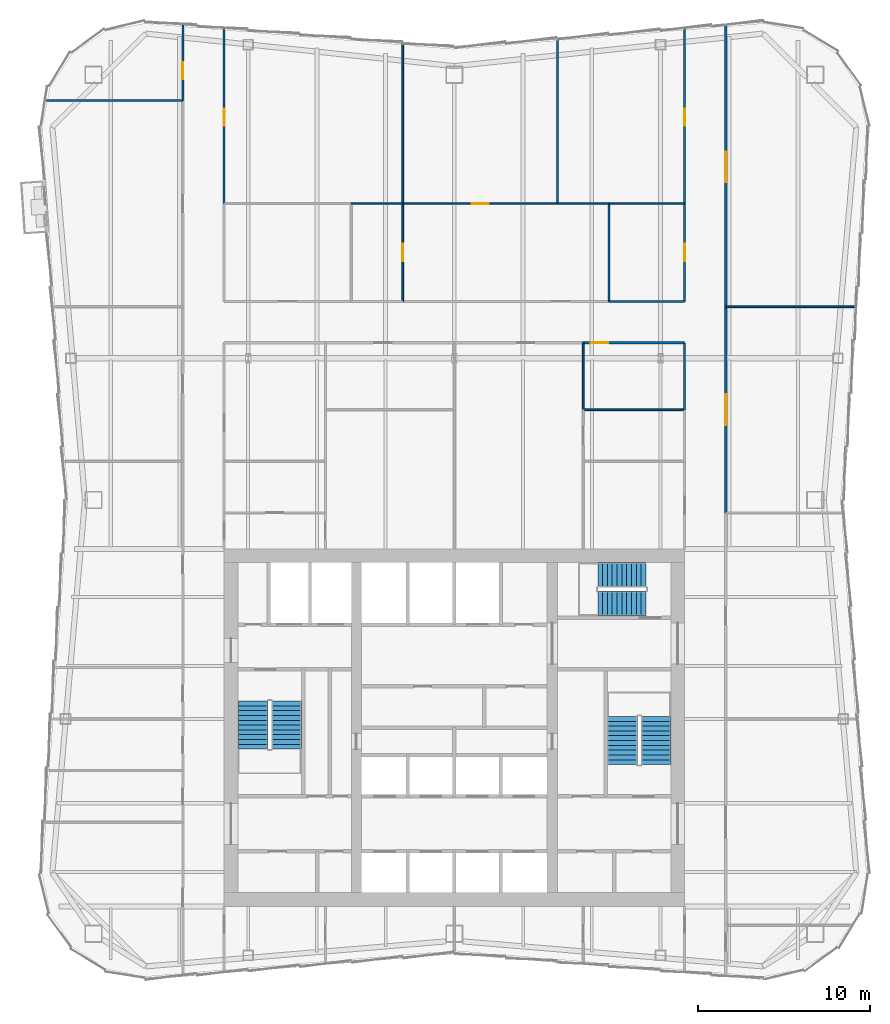
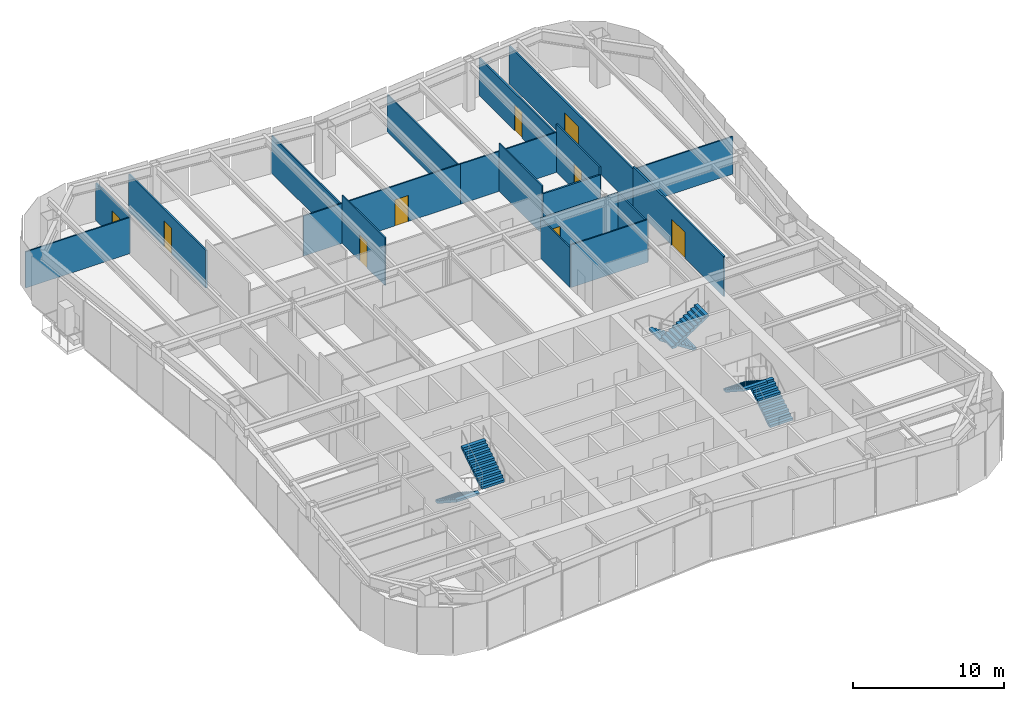
# One storey, part 9 of 11: 21 walls, 9 doors, 6 stair flights, 9 openings, 3 elements without a shape of their own.
"""IFC4 building model written with IfcOpenShell, lengths in metres."""

from ifc_helpers import new_model, si_unit, direction, frame, frame_2d, origin, place, context, subcontext, project, spatial, polyline, rectangle, outline, extrude, material, layer, layer_set, type_object, element, fill, aggregate, save


model = new_model("IFC4")

# Units and contexts
model_context = context("Model", 3, precision=1e-05, world=origin(), true_north=direction((0.0, 1.0)))
body_context = subcontext(model_context, "Body", "Model", "MODEL_VIEW")
ifc_project = project(units=[si_unit("LENGTHUNIT", "METRE"), si_unit("AREAUNIT", "SQUARE_METRE"), si_unit("VOLUMEUNIT", "CUBIC_METRE"), si_unit("PLANEANGLEUNIT", "RADIAN"), si_unit("MASSUNIT", "GRAM", prefix="KILO")], contexts=[model_context])

# Site, building, storey
site_placement = place(None, origin())
site = spatial("IfcSite", under=ifc_project, at=site_placement, CompositionType="ELEMENT")
building_placement = place(site_placement, origin())
building = spatial("IfcBuilding", under=site, at=building_placement, Name="Verdant Reach Tower", CompositionType="ELEMENT")
storey_placement = place(building_placement, frame((0.0, 0.0, 258.0)))
storey = spatial("IfcBuildingStorey", under=building, at=storey_placement, Name="L59", CompositionType="ELEMENT", Elevation=258.0)

# Walls
ifc_material_1 = material(Name="Gypsum board on steel studs", Category="steel")
ifc_layer_1 = layer(ifc_material_1, 0.10009765625)
ifc_layer_set_1 = layer_set([ifc_layer_1], Name="FL-W1 Partition 100")
wall_type_1 = type_object("IfcWallType", Name="FL-W1 Partition 100", PredefinedType="PARTITIONING", material=ifc_layer_set_1)
wall_1_placement = place(storey_placement, frame((-15.800048828125, 64.5, 0.0), z_axis=(0.0, 0.0, 1.0), x_axis=(-1.0, 0.0, 0.0)))
element("IfcWall", 1, at=wall_1_placement, inside=storey, type_object=wall_type_1, Name="Partition 59.40", PredefinedType="PARTITIONING", context=body_context, shape_type="SweptSolid", body=[
    extrude(rectangle(XDim=7.9814453125, YDim=0.10009765625, at=frame_2d((3.99072265625, 0.0))), origin(), (0.0, 0.0, 1.0), 2.929931640625),
])
wall_2_placement = place(storey_placement, frame((23.35595703125, 52.5, 0.0), z_axis=(0.0, 0.0, 1.0), x_axis=(-1.0, 0.0, 0.0)))
element("IfcWall", 2, at=wall_2_placement, inside=storey, type_object=wall_type_1, Name="Partition 59.44", PredefinedType="PARTITIONING", context=body_context, shape_type="SweptSolid", body=[
    extrude(rectangle(XDim=7.555908203125, YDim=0.10009765625, at=frame_2d((3.77783203125, 0.0))), origin(), (0.0, 0.0, 1.0), 3.0400390625),
])
wall_3_placement = place(storey_placement, frame((13.39990234375, 46.5, 0.0), z_axis=(0.0, 0.0, 1.0), x_axis=(-1.0, 0.0, 0.0)))
element("IfcWall", 3, at=wall_3_placement, inside=storey, type_object=wall_type_1, Name="Partition 59.59", PredefinedType="PARTITIONING", context=body_context, shape_type="SweptSolid", body=[
    extrude(rectangle(XDim=5.89990234375, YDim=0.10009765625, at=frame_2d((2.949951171875, 0.0))), origin(), (0.0, 0.0, 1.0), 3.43994140625),
])
wall_4_placement = place(storey_placement, frame((7.5, 50.39990234375, 0.0), z_axis=(0.0, 0.0, 1.0), x_axis=(0.0, -1.0, 0.0)))
element("IfcWall", 4, at=wall_4_placement, inside=storey, type_object=wall_type_1, Name="Partition 59.61", PredefinedType="PARTITIONING", context=body_context, shape_type="SweptSolid", body=[
    extrude(rectangle(XDim=3.90380859375, YDim=0.10009765625, at=frame_2d((1.951904296875, 0.0))), origin(), (0.0, 0.0, 1.0), 3.239990234375),
])

# Wall, opening, door
wall_5_placement = place(storey_placement, frame((-3.0, 52.800048828125, 0.0), z_axis=(0.0, 0.0, 1.0), x_axis=(0.0, 1.0, 0.0)))
wall_5 = element("IfcWall", 5, at=wall_5_placement, inside=storey, type_object=wall_type_1, Name="Partition 59.64", PredefinedType="PARTITIONING", context=body_context, shape_type="SweptSolid", body=[
    extrude(rectangle(XDim=5.699951171875, YDim=0.10009765625, at=frame_2d((2.85009765625, 0.0))), origin(), (0.0, 0.0, 1.0), 3.8701171875),
])
opening_1_placement = place(wall_5_placement, frame((2.35009765625, 0.0, 0.0)))
opening_1 = element("IfcOpeningElement", 6, at=opening_1_placement, cuts=wall_5, Name="Opening D3", PredefinedType="OPENING", context=body_context, shape_type="SweptSolid", body=[
    extrude(rectangle(XDim=1.0, YDim=2.10009765625, at=frame_2d((0.5, 1.050048828125))), frame((0.0, 0.06005859375, 0.0), z_axis=(0.0, -1.0, 0.0), x_axis=(1.0, 0.0, 0.0)), (0.0, 0.0, 1.0), 0.1201171875),
])
ifc_material_2 = material(Name="Painted timber door leaf", Category="wood")
door_type_1 = type_object("IfcDoorType", Name="FL-D3 Door 1000x2100", OperationType="NOTDEFINED", PredefinedType="DOOR", material=ifc_material_2)
door_1_placement = place(opening_1_placement, origin())
door_1 = element("IfcDoor", 7, at=door_1_placement, inside=storey, type_object=door_type_1, Name="Door 59-032", OperationType="SINGLE_SWING_RIGHT", OverallHeight=2.10009765625, OverallWidth=1.0, PredefinedType="DOOR", context=body_context, shape_type="SweptSolid", body=[
    extrude(rectangle(XDim=1.0, YDim=2.10009765625, at=frame_2d((0.5, 1.050048828125))), frame((0.0, 0.02490234375, 0.0), z_axis=(0.0, -1.0, 0.0), x_axis=(1.0, 0.0, 0.0)), (0.0, 0.0, 1.0), 0.050048828125),
])
fill(opening_1, door_1)

# Walls
wall_6_placement = place(storey_placement, frame((-3.0, 58.5, 0.0), z_axis=(0.0, 0.0, 1.0), x_axis=(-1.0, 0.0, 0.0)))
element("IfcWall", 8, at=wall_6_placement, inside=storey, type_object=wall_type_1, Name="Partition 59.65", PredefinedType="PARTITIONING", context=body_context, shape_type="SweptSolid", body=[
    extrude(rectangle(XDim=3.00390625, YDim=0.10009765625, at=frame_2d((1.501953125, 0.0))), origin(), (0.0, 0.0, 1.0), 3.239990234375),
])
wall_7_placement = place(storey_placement, frame((9.0, 52.800048828125, 0.0), z_axis=(0.0, 0.0, 1.0), x_axis=(0.0, 1.0, 0.0)))
element("IfcWall", 9, at=wall_7_placement, inside=storey, type_object=wall_type_1, Name="Partition 59.66", PredefinedType="PARTITIONING", context=body_context, shape_type="SweptSolid", body=[
    extrude(rectangle(XDim=5.699951171875, YDim=0.10009765625, at=frame_2d((2.85009765625, 0.0))), origin(), (0.0, 0.0, 1.0), 3.8701171875),
])

# Wall, opening, door
wall_8_placement = place(storey_placement, frame((-3.0, 58.5, 0.0), z_axis=(0.0, 0.0, 1.0), x_axis=(1.0, 0.0, 0.0)))
wall_8 = element("IfcWall", 10, at=wall_8_placement, inside=storey, type_object=wall_type_1, Name="Partition 59.67", PredefinedType="PARTITIONING", context=body_context, shape_type="SweptSolid", body=[
    extrude(rectangle(XDim=9.0, YDim=0.10009765625, at=frame_2d((4.5, 0.0))), origin(), (0.0, 0.0, 1.0), 3.239990234375),
])
opening_2_placement = place(wall_8_placement, frame((4.0, 0.0, 0.0)))
opening_2 = element("IfcOpeningElement", 11, at=opening_2_placement, cuts=wall_8, Name="Opening D3", PredefinedType="OPENING", context=body_context, shape_type="SweptSolid", body=[
    extrude(rectangle(XDim=1.0, YDim=2.10009765625, at=frame_2d((0.5, 1.050048828125))), frame((0.0, 0.06005859375, 0.0), z_axis=(0.0, -1.0, 0.0), x_axis=(1.0, 0.0, 0.0)), (0.0, 0.0, 1.0), 0.1201171875),
])
door_2_placement = place(opening_2_placement, origin())
door_2 = element("IfcDoor", 12, at=door_2_placement, inside=storey, type_object=door_type_1, Name="Door 59-033", OperationType="SINGLE_SWING_LEFT", OverallHeight=2.10009765625, OverallWidth=1.0, PredefinedType="DOOR", context=body_context, shape_type="SweptSolid", body=[
    extrude(rectangle(XDim=1.0, YDim=2.10009765625, at=frame_2d((0.5, 1.050048828125))), frame((0.0, 0.02490234375, 0.0), z_axis=(0.0, -1.0, 0.0), x_axis=(1.0, 0.0, 0.0)), (0.0, 0.0, 1.0), 0.050048828125),
])
fill(opening_2, door_2)

# Walls
wall_9_placement = place(storey_placement, frame((9.00390625, 58.5, 0.0), z_axis=(0.0, 0.0, 1.0), x_axis=(-1.0, 0.0, 0.0)))
element("IfcWall", 13, at=wall_9_placement, inside=storey, type_object=wall_type_1, Name="Partition 59.68", PredefinedType="PARTITIONING", context=body_context, shape_type="SweptSolid", body=[
    extrude(rectangle(XDim=3.00390625, YDim=0.10009765625, at=frame_2d((1.501953125, 0.0))), origin(), (0.0, 0.0, 1.0), 3.239990234375),
])
wall_10_placement = place(storey_placement, frame((13.39990234375, 58.5, 0.0), z_axis=(0.0, 0.0, 1.0), x_axis=(-1.0, 0.0, 0.0)))
element("IfcWall", 14, at=wall_10_placement, inside=storey, type_object=wall_type_1, Name="Partition 59.69", PredefinedType="PARTITIONING", context=body_context, shape_type="SweptSolid", body=[
    extrude(rectangle(XDim=4.40380859375, YDim=0.10009765625, at=frame_2d((2.201904296875, 0.0))), origin(), (0.0, 0.0, 1.0), 3.239990234375),
])
wall_11_placement = place(storey_placement, frame((-3.0, 58.5, 0.0), z_axis=(0.0, 0.0, 1.0), x_axis=(0.0, 1.0, 0.0)))
element("IfcWall", 15, at=wall_11_placement, inside=storey, type_object=wall_type_1, Name="Partition 59.70", PredefinedType="PARTITIONING", context=body_context, shape_type="SweptSolid", body=[
    extrude(rectangle(XDim=9.330078125, YDim=0.10009765625, at=frame_2d((4.6650390625, 0.0))), origin(), (0.0, 0.0, 1.0), 3.0400390625),
])
wall_12_placement = place(storey_placement, frame((6.0, 58.5, 0.0), z_axis=(0.0, 0.0, 1.0), x_axis=(0.0, 1.0, 0.0)))
element("IfcWall", 16, at=wall_12_placement, inside=storey, type_object=wall_type_1, Name="Partition 59.71", PredefinedType="PARTITIONING", context=body_context, shape_type="SweptSolid", body=[
    extrude(rectangle(XDim=9.580078125, YDim=0.10009765625, at=frame_2d((4.7900390625, 0.0))), origin(), (0.0, 0.0, 1.0), 3.0400390625),
])

# Wall, opening, door
ifc_material_3 = material(Name="Gypsum board on steel studs, fire rated", Category="steel")
ifc_layer_2 = layer(ifc_material_3, 0.125)
ifc_layer_set_2 = layer_set([ifc_layer_2], Name="FL-W2 Corridor wall 125")
wall_type_2 = type_object("IfcWallType", Name="FL-W2 Corridor wall 125", PredefinedType="PARTITIONING", material=ifc_layer_set_2)
wall_13_placement = place(storey_placement, frame((-15.800048828125, 64.5, 0.0), z_axis=(0.0, 0.0, 1.0), x_axis=(0.0, 1.0, 0.0)))
wall_13 = element("IfcWall", 17, at=wall_13_placement, inside=storey, type_object=wall_type_2, Name="Partition 59.08", PredefinedType="PARTITIONING", context=body_context, shape_type="SweptSolid", body=[
    extrude(rectangle(XDim=4.396728515625, YDim=0.125, at=frame_2d((2.1982421875, 0.0))), origin(), (0.0, 0.0, 1.0), 3.0400390625),
])
opening_3_placement = place(wall_13_placement, frame((1.233154296875, 0.0, 0.0)))
opening_3 = element("IfcOpeningElement", 18, at=opening_3_placement, cuts=wall_13, Name="Opening D2", PredefinedType="OPENING", context=body_context, shape_type="SweptSolid", body=[
    extrude(rectangle(XDim=1.0, YDim=2.10009765625, at=frame_2d((0.5, 1.050048828125))), frame((0.0, 0.072509765625, 0.0), z_axis=(0.0, -1.0, 0.0), x_axis=(1.0, 0.0, 0.0)), (0.0, 0.0, 1.0), 0.14501953125),
])
ifc_material_4 = material(Name="Timber door leaf, fire rated", Category="wood")
door_type_2 = type_object("IfcDoorType", Name="FL-D2 Entrance door 1000x2100 FD30", OperationType="NOTDEFINED", PredefinedType="DOOR", material=ifc_material_4)
door_3_placement = place(opening_3_placement, origin())
door_3 = element("IfcDoor", 19, at=door_3_placement, inside=storey, type_object=door_type_2, Name="Door 59-008", OperationType="SINGLE_SWING_LEFT", OverallHeight=2.10009765625, OverallWidth=1.0, PredefinedType="DOOR", context=body_context, shape_type="SweptSolid", body=[
    extrude(rectangle(XDim=1.0, YDim=2.10009765625, at=frame_2d((0.5, 1.050048828125))), frame((0.0, 0.02490234375, 0.0), z_axis=(0.0, -1.0, 0.0), x_axis=(1.0, 0.0, 0.0)), (0.0, 0.0, 1.0), 0.050048828125),
])
fill(opening_3, door_3)

wall_14_placement = place(storey_placement, frame((15.800048828125, 40.5, 0.0), z_axis=(0.0, 0.0, 1.0), x_axis=(0.0, 1.0, 0.0)))
wall_14 = element("IfcWall", 20, at=wall_14_placement, inside=storey, type_object=wall_type_2, Name="Partition 59.12", PredefinedType="PARTITIONING", context=body_context, shape_type="SweptSolid", body=[
    extrude(rectangle(XDim=12.0, YDim=0.125, at=frame_2d((6.0, 0.0))), origin(), (0.0, 0.0, 1.0), 3.239990234375),
])
opening_4_placement = place(wall_14_placement, frame((5.10009765625, 0.0, 0.0)))
opening_4 = element("IfcOpeningElement", 21, at=opening_4_placement, cuts=wall_14, Name="Opening D4", PredefinedType="OPENING", context=body_context, shape_type="SweptSolid", body=[
    extrude(rectangle(XDim=1.800048828125, YDim=2.10009765625, at=frame_2d((0.89990234375, 1.050048828125))), frame((0.0, 0.072509765625, 0.0), z_axis=(0.0, -1.0, 0.0), x_axis=(1.0, 0.0, 0.0)), (0.0, 0.0, 1.0), 0.14501953125),
])
ifc_material_5 = material(Name="Timber door leaves, fire rated", Category="wood")
door_type_3 = type_object("IfcDoorType", Name="FL-D4 Double door 1800x2100 FD30", OperationType="DOUBLE_DOOR_SINGLE_SWING", PredefinedType="DOOR", material=ifc_material_5)
door_4_placement = place(opening_4_placement, origin())
door_4 = element("IfcDoor", 22, at=door_4_placement, inside=storey, type_object=door_type_3, Name="Door 59-012", OperationType="DOUBLE_DOOR_SINGLE_SWING", OverallHeight=2.10009765625, OverallWidth=1.800048828125, PredefinedType="DOOR", context=body_context, shape_type="SweptSolid", body=[
    extrude(rectangle(XDim=1.800048828125, YDim=2.10009765625, at=frame_2d((0.89990234375, 1.050048828125))), frame((0.0, 0.02490234375, 0.0), z_axis=(0.0, -1.0, 0.0), x_axis=(1.0, 0.0, 0.0)), (0.0, 0.0, 1.0), 0.050048828125),
])
fill(opening_4, door_4)

wall_15_placement = place(storey_placement, frame((15.800048828125, 52.5, 0.0), z_axis=(0.0, 0.0, 1.0), x_axis=(0.0, 1.0, 0.0)))
wall_15 = element("IfcWall", 23, at=wall_15_placement, inside=storey, type_object=wall_type_2, Name="Partition 59.13", PredefinedType="PARTITIONING", context=body_context, shape_type="SweptSolid", body=[
    extrude(rectangle(XDim=16.396728515625, YDim=0.125, at=frame_2d((8.1982421875, 0.0))), origin(), (0.0, 0.0, 1.0), 3.0400390625),
])
opening_5_placement = place(wall_15_placement, frame((7.233154296875, 0.0, 0.0)))
opening_5 = element("IfcOpeningElement", 24, at=opening_5_placement, cuts=wall_15, Name="Opening D4", PredefinedType="OPENING", context=body_context, shape_type="SweptSolid", body=[
    extrude(rectangle(XDim=1.800048828125, YDim=2.10009765625, at=frame_2d((0.89990234375, 1.050048828125))), frame((0.0, 0.072509765625, 0.0), z_axis=(0.0, -1.0, 0.0), x_axis=(1.0, 0.0, 0.0)), (0.0, 0.0, 1.0), 0.14501953125),
])
door_5_placement = place(opening_5_placement, origin())
door_5 = element("IfcDoor", 25, at=door_5_placement, inside=storey, type_object=door_type_3, Name="Door 59-013", OperationType="DOUBLE_DOOR_SINGLE_SWING", OverallHeight=2.10009765625, OverallWidth=1.800048828125, PredefinedType="DOOR", context=body_context, shape_type="SweptSolid", body=[
    extrude(rectangle(XDim=1.800048828125, YDim=2.10009765625, at=frame_2d((0.89990234375, 1.050048828125))), frame((0.0, 0.02490234375, 0.0), z_axis=(0.0, -1.0, 0.0), x_axis=(1.0, 0.0, 0.0)), (0.0, 0.0, 1.0), 0.050048828125),
])
fill(opening_5, door_5)

wall_16_placement = place(storey_placement, frame((13.39990234375, 50.39990234375, 0.0), z_axis=(0.0, 0.0, 1.0), x_axis=(-1.0, 0.0, 0.0)))
wall_16 = element("IfcWall", 26, at=wall_16_placement, inside=storey, type_object=wall_type_2, Name="Partition 59.23", PredefinedType="PARTITIONING", context=body_context, shape_type="SweptSolid", body=[
    extrude(rectangle(XDim=5.89990234375, YDim=0.125, at=frame_2d((2.949951171875, 0.0))), origin(), (0.0, 0.0, 1.0), 3.239990234375),
])
opening_6_placement = place(wall_16_placement, frame((4.449951171875, 0.0, 0.0)))
opening_6 = element("IfcOpeningElement", 27, at=opening_6_placement, cuts=wall_16, Name="Opening D2", PredefinedType="OPENING", context=body_context, shape_type="SweptSolid", body=[
    extrude(rectangle(XDim=1.0, YDim=2.10009765625, at=frame_2d((0.5, 1.050048828125))), frame((0.0, 0.072509765625, 0.0), z_axis=(0.0, -1.0, 0.0), x_axis=(1.0, 0.0, 0.0)), (0.0, 0.0, 1.0), 0.14501953125),
])
door_6_placement = place(opening_6_placement, origin())
door_6 = element("IfcDoor", 28, at=door_6_placement, inside=storey, type_object=door_type_2, Name="Door 59-020", OperationType="SINGLE_SWING_RIGHT", OverallHeight=2.10009765625, OverallWidth=1.0, PredefinedType="DOOR", context=body_context, shape_type="SweptSolid", body=[
    extrude(rectangle(XDim=1.0, YDim=2.10009765625, at=frame_2d((0.5, 1.050048828125))), frame((0.0, 0.02490234375, 0.0), z_axis=(0.0, -1.0, 0.0), x_axis=(1.0, 0.0, 0.0)), (0.0, 0.0, 1.0), 0.050048828125),
])
fill(opening_6, door_6)

# Wall
wall_17_placement = place(storey_placement, frame((13.39990234375, 46.5, 0.0), z_axis=(0.0, 0.0, 1.0), x_axis=(0.0, 1.0, 0.0)))
element("IfcWall", 29, at=wall_17_placement, inside=storey, type_object=wall_type_2, Name="Partition 59.24", PredefinedType="PARTITIONING", context=body_context, shape_type="SweptSolid", body=[
    extrude(rectangle(XDim=3.89990234375, YDim=0.125, at=frame_2d((1.949951171875, 0.0))), origin(), (0.0, 0.0, 1.0), 3.239990234375),
])

# Wall, opening, door
wall_18_placement = place(storey_placement, frame((13.39990234375, 52.800048828125, 0.0), z_axis=(0.0, 0.0, 1.0), x_axis=(0.0, 1.0, 0.0)))
wall_18 = element("IfcWall", 30, at=wall_18_placement, inside=storey, type_object=wall_type_2, Name="Partition 59.30", PredefinedType="PARTITIONING", context=body_context, shape_type="SweptSolid", body=[
    extrude(rectangle(XDim=5.699951171875, YDim=0.125, at=frame_2d((2.85009765625, 0.0))), origin(), (0.0, 0.0, 1.0), 3.8701171875),
])
opening_7_placement = place(wall_18_placement, frame((2.35009765625, 0.0, 0.0)))
opening_7 = element("IfcOpeningElement", 31, at=opening_7_placement, cuts=wall_18, Name="Opening D2", PredefinedType="OPENING", context=body_context, shape_type="SweptSolid", body=[
    extrude(rectangle(XDim=1.0, YDim=2.10009765625, at=frame_2d((0.5, 1.050048828125))), frame((0.0, 0.072509765625, 0.0), z_axis=(0.0, -1.0, 0.0), x_axis=(1.0, 0.0, 0.0)), (0.0, 0.0, 1.0), 0.14501953125),
])
door_7_placement = place(opening_7_placement, origin())
door_7 = element("IfcDoor", 32, at=door_7_placement, inside=storey, type_object=door_type_2, Name="Door 59-024", OperationType="SINGLE_SWING_RIGHT", OverallHeight=2.10009765625, OverallWidth=1.0, PredefinedType="DOOR", context=body_context, shape_type="SweptSolid", body=[
    extrude(rectangle(XDim=1.0, YDim=2.10009765625, at=frame_2d((0.5, 1.050048828125))), frame((0.0, 0.02490234375, 0.0), z_axis=(0.0, -1.0, 0.0), x_axis=(1.0, 0.0, 0.0)), (0.0, 0.0, 1.0), 0.050048828125),
])
fill(opening_7, door_7)

# Wall
wall_19_placement = place(storey_placement, frame((13.39990234375, 52.800048828125, 0.0), z_axis=(0.0, 0.0, 1.0), x_axis=(-1.0, 0.0, 0.0)))
element("IfcWall", 33, at=wall_19_placement, inside=storey, type_object=wall_type_2, Name="Partition 59.31", PredefinedType="PARTITIONING", context=body_context, shape_type="SweptSolid", body=[
    extrude(rectangle(XDim=4.39990234375, YDim=0.125, at=frame_2d((2.199951171875, 0.0))), origin(), (0.0, 0.0, 1.0), 3.239990234375),
])

# Wall, opening, door
wall_20_placement = place(storey_placement, frame((-13.39990234375, 68.69677734375, 0.0), z_axis=(0.0, 0.0, 1.0), x_axis=(0.0, -1.0, 0.0)))
wall_20 = element("IfcWall", 34, at=wall_20_placement, inside=storey, type_object=wall_type_2, Name="Partition 59.32", PredefinedType="PARTITIONING", context=body_context, shape_type="SweptSolid", body=[
    extrude(rectangle(XDim=10.19677734375, YDim=0.125, at=frame_2d((5.098388671875, 0.0))), origin(), (0.0, 0.0, 1.0), 3.0400390625),
])
opening_8_placement = place(wall_20_placement, frame((4.663330078125, 0.0, 0.0)))
opening_8 = element("IfcOpeningElement", 35, at=opening_8_placement, cuts=wall_20, Name="Opening D2", PredefinedType="OPENING", context=body_context, shape_type="SweptSolid", body=[
    extrude(rectangle(XDim=1.0, YDim=2.10009765625, at=frame_2d((0.5, 1.050048828125))), frame((0.0, 0.072509765625, 0.0), z_axis=(0.0, -1.0, 0.0), x_axis=(1.0, 0.0, 0.0)), (0.0, 0.0, 1.0), 0.14501953125),
])
door_8_placement = place(opening_8_placement, origin())
door_8 = element("IfcDoor", 36, at=door_8_placement, inside=storey, type_object=door_type_2, Name="Door 59-025", OperationType="SINGLE_SWING_RIGHT", OverallHeight=2.10009765625, OverallWidth=1.0, PredefinedType="DOOR", context=body_context, shape_type="SweptSolid", body=[
    extrude(rectangle(XDim=1.0, YDim=2.10009765625, at=frame_2d((0.5, 1.050048828125))), frame((0.0, 0.02490234375, 0.0), z_axis=(0.0, -1.0, 0.0), x_axis=(1.0, 0.0, 0.0)), (0.0, 0.0, 1.0), 0.050048828125),
])
fill(opening_8, door_8)

wall_21_placement = place(storey_placement, frame((13.39990234375, 58.5, 0.0), z_axis=(0.0, 0.0, 1.0), x_axis=(0.0, 1.0, 0.0)))
wall_21 = element("IfcWall", 37, at=wall_21_placement, inside=storey, type_object=wall_type_2, Name="Partition 59.33", PredefinedType="PARTITIONING", context=body_context, shape_type="SweptSolid", body=[
    extrude(rectangle(XDim=10.19677734375, YDim=0.125, at=frame_2d((5.098388671875, 0.0))), origin(), (0.0, 0.0, 1.0), 3.0400390625),
])
opening_9_placement = place(wall_21_placement, frame((4.533203125, 0.0, 0.0)))
opening_9 = element("IfcOpeningElement", 38, at=opening_9_placement, cuts=wall_21, Name="Opening D2", PredefinedType="OPENING", context=body_context, shape_type="SweptSolid", body=[
    extrude(rectangle(XDim=1.0, YDim=2.10009765625, at=frame_2d((0.5, 1.050048828125))), frame((0.0, 0.072509765625, 0.0), z_axis=(0.0, -1.0, 0.0), x_axis=(1.0, 0.0, 0.0)), (0.0, 0.0, 1.0), 0.14501953125),
])
door_9_placement = place(opening_9_placement, origin())
door_9 = element("IfcDoor", 39, at=door_9_placement, inside=storey, type_object=door_type_2, Name="Door 59-026", OperationType="SINGLE_SWING_LEFT", OverallHeight=2.10009765625, OverallWidth=1.0, PredefinedType="DOOR", context=body_context, shape_type="SweptSolid", body=[
    extrude(rectangle(XDim=1.0, YDim=2.10009765625, at=frame_2d((0.5, 1.050048828125))), frame((0.0, 0.02490234375, 0.0), z_axis=(0.0, -1.0, 0.0), x_axis=(1.0, 0.0, 0.0)), (0.0, 0.0, 1.0), 0.050048828125),
])
fill(opening_9, door_9)

# Stair, stair flights
ifc_material_6 = material(Name="Concrete C40/50", Category="concrete")
stair_type = type_object("IfcStairType", Name="CO-STAIR", PredefinedType="HALF_TURN_STAIR", material=ifc_material_6)
stair_1_placement = place(storey_placement, origin())
stair_1 = element("IfcStair", 40, at=stair_1_placement, inside=storey, type_object=stair_type, Name="L59 Exit stair 1", PredefinedType="HALF_TURN_STAIR")
stair_flight_type = type_object("IfcStairFlightType", Name="CO-STAIR-FLIGHT", PredefinedType="STRAIGHT", material=ifc_material_6)
stair_flight_1_placement = place(storey_placement, frame((-11.72509765625, 29.550048828125, 0.0), z_axis=(0.0, 0.0, 1.0), x_axis=(0.0, -1.0, 0.0)))
stair_flight_1 = element("IfcStairFlight", 41, at=stair_flight_1_placement, type_object=stair_flight_type, Name="ST-1 flight 1", NumberOfRisers=11, NumberOfTreads=10, PredefinedType="STRAIGHT", RiserHeight=0.181818182, TreadLength=0.28, context=body_context, shape_type="SweptSolid", body=[
    extrude(outline(polyline([(0.0, 0.0), (0.0, 0.181884765625), (0.280029296875, 0.181884765625), (0.280029296875, 0.363525390625), (0.56005859375, 0.363525390625), (0.56005859375, 0.54541015625), (0.840087890625, 0.54541015625), (0.840087890625, 0.727294921875), (1.1201171875, 0.727294921875), (1.1201171875, 0.9091796875), (1.39990234375, 0.9091796875), (1.39990234375, 1.0908203125), (1.679931640625, 1.0908203125), (1.679931640625, 1.272705078125), (1.9599609375, 1.272705078125), (1.9599609375, 1.45458984375), (2.239990234375, 1.45458984375), (2.239990234375, 1.636474609375), (2.52001953125, 1.636474609375), (2.52001953125, 1.818115234375), (2.800048828125, 1.818115234375), (2.800048828125, 2.0), (2.800048828125, 1.639404296875), (0.275146484375, 0.0), (0.0, 0.0)])), frame((0.0, 0.875, 0.0), z_axis=(0.0, -1.0, 0.0), x_axis=(1.0, 0.0, 0.0)), (0.0, 0.0, 1.0), 1.75),
])
stair_flight_2_placement = place(storey_placement, frame((-9.77490234375, 26.75, 2.0), z_axis=(0.0, 0.0, 1.0), x_axis=(0.0, 1.0, 0.0)))
stair_flight_2 = element("IfcStairFlight", 42, at=stair_flight_2_placement, type_object=stair_flight_type, Name="ST-1 flight 2", NumberOfRisers=11, NumberOfTreads=10, PredefinedType="STRAIGHT", RiserHeight=0.181818182, TreadLength=0.28, context=body_context, shape_type="SweptSolid", body=[
    extrude(outline(polyline([(0.0, 0.0), (0.0, 0.181884765625), (0.280029296875, 0.181884765625), (0.280029296875, 0.363525390625), (0.56005859375, 0.363525390625), (0.56005859375, 0.54541015625), (0.840087890625, 0.54541015625), (0.840087890625, 0.727294921875), (1.1201171875, 0.727294921875), (1.1201171875, 0.9091796875), (1.39990234375, 0.9091796875), (1.39990234375, 1.0908203125), (1.679931640625, 1.0908203125), (1.679931640625, 1.272705078125), (1.9599609375, 1.272705078125), (1.9599609375, 1.45458984375), (2.239990234375, 1.45458984375), (2.239990234375, 1.636474609375), (2.52001953125, 1.636474609375), (2.52001953125, 1.818115234375), (2.800048828125, 1.818115234375), (2.800048828125, 2.0), (2.800048828125, 1.639404296875), (0.275146484375, 0.0), (0.0, 0.0)])), frame((0.0, 0.875, 0.0), z_axis=(0.0, -1.0, 0.0), x_axis=(1.0, 0.0, 0.0)), (0.0, 0.0, 1.0), 1.75),
])
aggregate(stair_1, [stair_flight_1, stair_flight_2])

stair_2_placement = place(storey_placement, origin())
stair_2 = element("IfcStair", 43, at=stair_2_placement, inside=storey, type_object=stair_type, Name="L59 Exit stair 2", PredefinedType="HALF_TURN_STAIR")
stair_flight_3_placement = place(storey_placement, frame((11.72509765625, 25.85009765625, 0.0), z_axis=(0.0, 0.0, 1.0), x_axis=(0.0, 1.0, 0.0)))
stair_flight_3 = element("IfcStairFlight", 44, at=stair_flight_3_placement, type_object=stair_flight_type, Name="ST-2 flight 1", NumberOfRisers=11, NumberOfTreads=10, PredefinedType="STRAIGHT", RiserHeight=0.181818182, TreadLength=0.28, context=body_context, shape_type="SweptSolid", body=[
    extrude(outline(polyline([(0.0, 0.0), (0.0, 0.181884765625), (0.280029296875, 0.181884765625), (0.280029296875, 0.363525390625), (0.56005859375, 0.363525390625), (0.56005859375, 0.54541015625), (0.840087890625, 0.54541015625), (0.840087890625, 0.727294921875), (1.1201171875, 0.727294921875), (1.1201171875, 0.9091796875), (1.39990234375, 0.9091796875), (1.39990234375, 1.0908203125), (1.679931640625, 1.0908203125), (1.679931640625, 1.272705078125), (1.9599609375, 1.272705078125), (1.9599609375, 1.45458984375), (2.239990234375, 1.45458984375), (2.239990234375, 1.636474609375), (2.52001953125, 1.636474609375), (2.52001953125, 1.818115234375), (2.800048828125, 1.818115234375), (2.800048828125, 2.0), (2.800048828125, 1.639404296875), (0.275146484375, 0.0), (0.0, 0.0)])), frame((0.0, 0.875, 0.0), z_axis=(0.0, -1.0, 0.0), x_axis=(1.0, 0.0, 0.0)), (0.0, 0.0, 1.0), 1.75),
])
stair_flight_4_placement = place(storey_placement, frame((9.77490234375, 28.64990234375, 2.0), z_axis=(0.0, 0.0, 1.0), x_axis=(0.0, -1.0, 0.0)))
stair_flight_4 = element("IfcStairFlight", 45, at=stair_flight_4_placement, type_object=stair_flight_type, Name="ST-2 flight 2", NumberOfRisers=11, NumberOfTreads=10, PredefinedType="STRAIGHT", RiserHeight=0.181818182, TreadLength=0.28, context=body_context, shape_type="SweptSolid", body=[
    extrude(outline(polyline([(0.0, 0.0), (0.0, 0.181884765625), (0.280029296875, 0.181884765625), (0.280029296875, 0.363525390625), (0.56005859375, 0.363525390625), (0.56005859375, 0.54541015625), (0.840087890625, 0.54541015625), (0.840087890625, 0.727294921875), (1.1201171875, 0.727294921875), (1.1201171875, 0.9091796875), (1.39990234375, 0.9091796875), (1.39990234375, 1.0908203125), (1.679931640625, 1.0908203125), (1.679931640625, 1.272705078125), (1.9599609375, 1.272705078125), (1.9599609375, 1.45458984375), (2.239990234375, 1.45458984375), (2.239990234375, 1.636474609375), (2.52001953125, 1.636474609375), (2.52001953125, 1.818115234375), (2.800048828125, 1.818115234375), (2.800048828125, 2.0), (2.800048828125, 1.639404296875), (0.275146484375, 0.0), (0.0, 0.0)])), frame((0.0, 0.875, 0.0), z_axis=(0.0, -1.0, 0.0), x_axis=(1.0, 0.0, 0.0)), (0.0, 0.0, 1.0), 1.75),
])
aggregate(stair_2, [stair_flight_3, stair_flight_4])

stair_3_placement = place(storey_placement, origin())
stair_3 = element("IfcStair", 46, at=stair_3_placement, inside=storey, type_object=stair_type, Name="L59 Exit stair 3", PredefinedType="HALF_TURN_STAIR")
stair_flight_5_placement = place(storey_placement, frame((11.14990234375, 36.875, 0.0), z_axis=(0.0, 0.0, 1.0), x_axis=(-1.0, 0.0, 0.0)))
stair_flight_5 = element("IfcStairFlight", 47, at=stair_flight_5_placement, type_object=stair_flight_type, Name="ST-3 flight 1", NumberOfRisers=11, NumberOfTreads=10, PredefinedType="STRAIGHT", RiserHeight=0.181818182, TreadLength=0.28, context=body_context, shape_type="SweptSolid", body=[
    extrude(outline(polyline([(0.0, 0.0), (0.0, 0.181884765625), (0.280029296875, 0.181884765625), (0.280029296875, 0.363525390625), (0.56005859375, 0.363525390625), (0.56005859375, 0.54541015625), (0.840087890625, 0.54541015625), (0.840087890625, 0.727294921875), (1.1201171875, 0.727294921875), (1.1201171875, 0.9091796875), (1.39990234375, 0.9091796875), (1.39990234375, 1.0908203125), (1.679931640625, 1.0908203125), (1.679931640625, 1.272705078125), (1.9599609375, 1.272705078125), (1.9599609375, 1.45458984375), (2.239990234375, 1.45458984375), (2.239990234375, 1.636474609375), (2.52001953125, 1.636474609375), (2.52001953125, 1.818115234375), (2.800048828125, 1.818115234375), (2.800048828125, 2.0), (2.800048828125, 1.639404296875), (0.275146484375, 0.0), (0.0, 0.0)])), frame((0.0, 0.72509765625, 0.0), z_axis=(0.0, -1.0, 0.0), x_axis=(1.0, 0.0, 0.0)), (0.0, 0.0, 1.0), 1.449951171875),
])
stair_flight_6_placement = place(storey_placement, frame((8.35009765625, 35.22509765625, 2.0), z_axis=(0.0, 0.0, 1.0), x_axis=(1.0, 0.0, 0.0)))
stair_flight_6 = element("IfcStairFlight", 48, at=stair_flight_6_placement, type_object=stair_flight_type, Name="ST-3 flight 2", NumberOfRisers=11, NumberOfTreads=10, PredefinedType="STRAIGHT", RiserHeight=0.181818182, TreadLength=0.28, context=body_context, shape_type="SweptSolid", body=[
    extrude(outline(polyline([(0.0, 0.0), (0.0, 0.181884765625), (0.280029296875, 0.181884765625), (0.280029296875, 0.363525390625), (0.56005859375, 0.363525390625), (0.56005859375, 0.54541015625), (0.840087890625, 0.54541015625), (0.840087890625, 0.727294921875), (1.1201171875, 0.727294921875), (1.1201171875, 0.9091796875), (1.39990234375, 0.9091796875), (1.39990234375, 1.0908203125), (1.679931640625, 1.0908203125), (1.679931640625, 1.272705078125), (1.9599609375, 1.272705078125), (1.9599609375, 1.45458984375), (2.239990234375, 1.45458984375), (2.239990234375, 1.636474609375), (2.52001953125, 1.636474609375), (2.52001953125, 1.818115234375), (2.800048828125, 1.818115234375), (2.800048828125, 2.0), (2.800048828125, 1.639404296875), (0.275146484375, 0.0), (0.0, 0.0)])), frame((0.0, 0.72509765625, 0.0), z_axis=(0.0, -1.0, 0.0), x_axis=(1.0, 0.0, 0.0)), (0.0, 0.0, 1.0), 1.449951171875),
])
aggregate(stair_3, [stair_flight_5, stair_flight_6])

save(model, "model.ifc")
